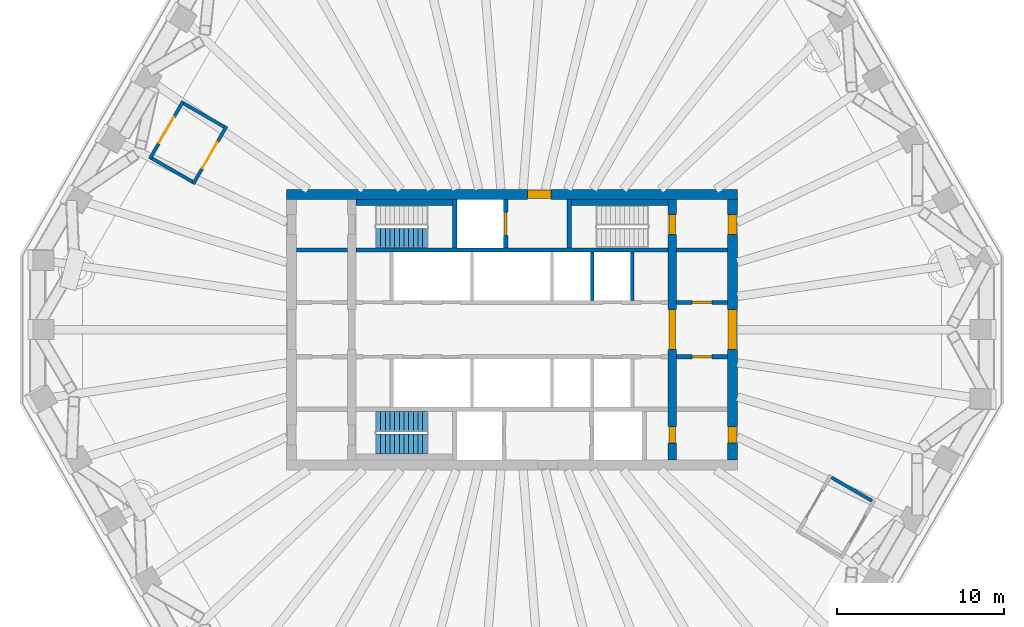
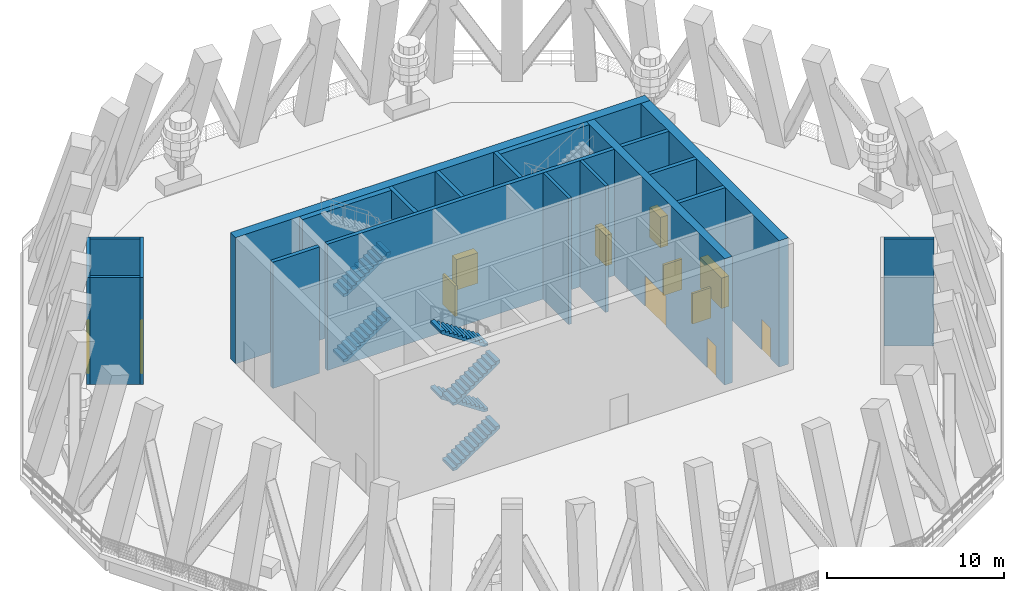
# One storey, part 5 of 11: 20 walls, 12 doors, 6 stair flights, 12 openings, 2 elements without a shape of their own.
"""IFC4 building model written with IfcOpenShell, lengths in metres."""

from ifc_helpers import new_model, si_unit, direction, frame, frame_2d, origin, place, context, subcontext, project, spatial, polyline, rectangle, outline, extrude, material, layer, layer_set, type_object, element, fill, aggregate, save


model = new_model("IFC4")

# Units and contexts
model_context = context("Model", 3, precision=1e-05, world=origin(), true_north=direction((0.0, 1.0)))
body_context = subcontext(model_context, "Body", "Model", "MODEL_VIEW")
ifc_project = project(units=[si_unit("LENGTHUNIT", "METRE"), si_unit("AREAUNIT", "SQUARE_METRE"), si_unit("VOLUMEUNIT", "CUBIC_METRE"), si_unit("PLANEANGLEUNIT", "RADIAN"), si_unit("MASSUNIT", "GRAM", prefix="KILO")], contexts=[model_context])

# Site, building, storey
site_placement = place(None, origin())
site = spatial("IfcSite", under=ifc_project, at=site_placement, CompositionType="ELEMENT")
building_placement = place(site_placement, origin())
building = spatial("IfcBuilding", under=site, at=building_placement, Name="Frailejon Research Tower", CompositionType="ELEMENT")
storey_placement = place(building_placement, frame((0.0, 0.0, 202.39990234375)))
storey = spatial("IfcBuildingStorey", under=building, at=storey_placement, Name="L44", CompositionType="ELEMENT", Elevation=202.39990234375)

# Wall, openings, doors
ifc_material_1 = material(Name="Concrete C60/75", Category="concrete")
ifc_layer_1 = layer(ifc_material_1, 0.5)
ifc_layer_set_1 = layer_set([ifc_layer_1], Name="Core shear wall 500 C60/75")
wall_type_1 = type_object("IfcWallType", Name="Core shear wall 500 C60/75", PredefinedType="SHEAR", material=ifc_layer_set_1)
wall_1_placement = place(storey_placement, frame((9.60009765625, -7.800048828125, 0.0), z_axis=(0.0, 0.0, 1.0), x_axis=(0.0, 1.0, 0.0)))
wall_1 = element("IfcWall", 1, at=wall_1_placement, inside=storey, type_object=wall_type_1, Name="Core shear wall", PredefinedType="SHEAR", context=body_context, shape_type="SweptSolid", body=[
    extrude(rectangle(XDim=15.60009765625, YDim=0.5, at=frame_2d((7.800048828125, 0.0))), origin(), (0.0, 0.0, 1.0), 8.7001953125),
])
opening_1_placement = place(wall_1_placement, frame((6.60009765625, 0.0, 0.0)))
opening_1 = element("IfcOpeningElement", 2, at=opening_1_placement, cuts=wall_1, Name="Opening D2", PredefinedType="OPENING", context=body_context, shape_type="SweptSolid", body=[
    extrude(rectangle(XDim=2.39990234375, YDim=2.10009765625, at=frame_2d((1.199951171875, 1.050048828125))), frame((0.0, 0.260009765625, 0.0), z_axis=(0.0, -1.0, 0.0), x_axis=(1.0, 0.0, 0.0)), (0.0, 0.0, 1.0), 0.52001953125),
])
opening_2_placement = place(wall_1_placement, frame((13.5, 0.0, 0.0)))
opening_2 = element("IfcOpeningElement", 3, at=opening_2_placement, cuts=wall_1, Name="Opening D1", PredefinedType="OPENING", context=body_context, shape_type="SweptSolid", body=[
    extrude(rectangle(XDim=1.199951171875, YDim=2.10009765625, at=frame_2d((0.60009765625, 1.050048828125))), frame((0.0, 0.260009765625, 0.0), z_axis=(0.0, -1.0, 0.0), x_axis=(1.0, 0.0, 0.0)), (0.0, 0.0, 1.0), 0.52001953125),
])
opening_3_placement = place(wall_1_placement, frame((1.0, 0.0, 0.0)))
opening_3 = element("IfcOpeningElement", 4, at=opening_3_placement, cuts=wall_1, Name="Opening D4", PredefinedType="OPENING", context=body_context, shape_type="SweptSolid", body=[
    extrude(rectangle(XDim=1.0, YDim=2.10009765625, at=frame_2d((0.5, 1.050048828125))), frame((0.0, 0.260009765625, 0.0), z_axis=(0.0, -1.0, 0.0), x_axis=(1.0, 0.0, 0.0)), (0.0, 0.0, 1.0), 0.52001953125),
])
ifc_material_2 = material(Name="Steel", Category="steel")
door_type_1 = type_object("IfcDoorType", Name="Lobby double door", OperationType="DOUBLE_DOOR_SINGLE_SWING", PredefinedType="DOOR", material=ifc_material_2)
door_1_placement = place(opening_1_placement, origin())
door_1 = element("IfcDoor", 5, at=door_1_placement, inside=storey, type_object=door_type_1, Name="Lobby door", OperationType="DOUBLE_DOOR_SINGLE_SWING", OverallHeight=2.10009765625, OverallWidth=2.39990234375, PredefinedType="DOOR", context=body_context, shape_type="SweptSolid", body=[
    extrude(rectangle(XDim=2.39990234375, YDim=2.10009765625, at=frame_2d((1.199951171875, 1.050048828125))), frame((0.0, 0.199951171875, 0.0), z_axis=(0.0, -1.0, 0.0), x_axis=(1.0, 0.0, 0.0)), (0.0, 0.0, 1.0), 0.39990234375),
])
fill(opening_1, door_1)
ifc_material_3 = material(Name="Steel", Category="steel")
door_type_2 = type_object("IfcDoorType", Name="Service door", OperationType="SINGLE_SWING_LEFT", PredefinedType="DOOR", material=ifc_material_3)
door_2_placement = place(opening_3_placement, origin())
door_2 = element("IfcDoor", 6, at=door_2_placement, inside=storey, type_object=door_type_2, Name="Riser door", OperationType="SINGLE_SWING_RIGHT", OverallHeight=2.10009765625, OverallWidth=1.0, PredefinedType="DOOR", context=body_context, shape_type="SweptSolid", body=[
    extrude(rectangle(XDim=1.0, YDim=2.10009765625, at=frame_2d((0.5, 1.050048828125))), frame((0.0, 0.199951171875, 0.0), z_axis=(0.0, -1.0, 0.0), x_axis=(1.0, 0.0, 0.0)), (0.0, 0.0, 1.0), 0.39990234375),
])
fill(opening_3, door_2)
ifc_material_4 = material(Name="Steel", Category="steel")
door_type_3 = type_object("IfcDoorType", Name="Stair door", OperationType="SINGLE_SWING_LEFT", PredefinedType="DOOR", material=ifc_material_4)
door_3_placement = place(opening_2_placement, origin())
door_3 = element("IfcDoor", 7, at=door_3_placement, inside=storey, type_object=door_type_3, Name="Stair door ST3", OperationType="SINGLE_SWING_RIGHT", OverallHeight=2.10009765625, OverallWidth=1.199951171875, PredefinedType="DOOR", context=body_context, shape_type="SweptSolid", body=[
    extrude(rectangle(XDim=1.199951171875, YDim=2.10009765625, at=frame_2d((0.60009765625, 1.050048828125))), frame((0.0, 0.199951171875, 0.0), z_axis=(0.0, -1.0, 0.0), x_axis=(1.0, 0.0, 0.0)), (0.0, 0.0, 1.0), 0.39990234375),
])
fill(opening_2, door_3)

# Wall, opening, door
ifc_material_5 = material(Name="Concrete C60/75", Category="concrete")
ifc_layer_2 = layer(ifc_material_5, 0.60009765625)
ifc_layer_set_2 = layer_set([ifc_layer_2], Name="Core shear wall 600 C60/75")
wall_type_2 = type_object("IfcWallType", Name="Core shear wall 600 C60/75", PredefinedType="SHEAR", material=ifc_layer_set_2)
wall_2_placement = place(storey_placement, frame((-13.5, 8.10009765625, 0.0), z_axis=(0.0, 0.0, 1.0), x_axis=(1.0, 0.0, 0.0)))
wall_2 = element("IfcWall", 8, at=wall_2_placement, inside=storey, type_object=wall_type_2, Name="Core shear wall", PredefinedType="SHEAR", context=body_context, shape_type="SweptSolid", body=[
    extrude(rectangle(XDim=27.0, YDim=0.60009765625, at=frame_2d((13.5, 0.0))), origin(), (0.0, 0.0, 1.0), 8.7001953125),
])
opening_4_placement = place(wall_2_placement, frame((14.425048828125, 0.0, 0.0)))
opening_4 = element("IfcOpeningElement", 9, at=opening_4_placement, cuts=wall_2, Name="Opening D9", PredefinedType="OPENING", context=body_context, shape_type="SweptSolid", body=[
    extrude(rectangle(XDim=1.39990234375, YDim=2.10009765625, at=frame_2d((0.699951171875, 1.050048828125))), frame((0.0, 0.31005859375, 0.0), z_axis=(0.0, -1.0, 0.0), x_axis=(1.0, 0.0, 0.0)), (0.0, 0.0, 1.0), 0.6201171875),
])
ifc_material_6 = material(Name="Steel", Category="steel")
door_type_4 = type_object("IfcDoorType", Name="Goods lobby door", OperationType="DOUBLE_DOOR_SINGLE_SWING", PredefinedType="DOOR", material=ifc_material_6)
door_4_placement = place(opening_4_placement, origin())
door_4 = element("IfcDoor", 10, at=door_4_placement, inside=storey, type_object=door_type_4, Name="Goods lobby door", OperationType="DOUBLE_DOOR_SINGLE_SWING", OverallHeight=2.10009765625, OverallWidth=1.39990234375, PredefinedType="DOOR", context=body_context, shape_type="SweptSolid", body=[
    extrude(rectangle(XDim=1.39990234375, YDim=2.10009765625, at=frame_2d((0.699951171875, 1.050048828125))), frame((0.0, 0.25, 0.0), z_axis=(0.0, -1.0, 0.0), x_axis=(1.0, 0.0, 0.0)), (0.0, 0.0, 1.0), 0.5),
])
fill(opening_4, door_4)

# Wall, openings, doors
wall_3_placement = place(storey_placement, frame((13.199951171875, -7.800048828125, 0.0), z_axis=(0.0, 0.0, 1.0), x_axis=(0.0, 1.0, 0.0)))
wall_3 = element("IfcWall", 11, at=wall_3_placement, inside=storey, type_object=wall_type_2, Name="Core shear wall", PredefinedType="SHEAR", context=body_context, shape_type="SweptSolid", body=[
    extrude(rectangle(XDim=15.60009765625, YDim=0.60009765625, at=frame_2d((7.800048828125, 0.0))), origin(), (0.0, 0.0, 1.0), 8.7001953125),
])
opening_5_placement = place(wall_3_placement, frame((6.60009765625, 0.0, 0.0)))
opening_5 = element("IfcOpeningElement", 12, at=opening_5_placement, cuts=wall_3, Name="Opening D2", PredefinedType="OPENING", context=body_context, shape_type="SweptSolid", body=[
    extrude(rectangle(XDim=2.39990234375, YDim=2.10009765625, at=frame_2d((1.199951171875, 1.050048828125))), frame((0.0, 0.31005859375, 0.0), z_axis=(0.0, -1.0, 0.0), x_axis=(1.0, 0.0, 0.0)), (0.0, 0.0, 1.0), 0.6201171875),
])
opening_6_placement = place(wall_3_placement, frame((13.5, 0.0, 0.0)))
opening_6 = element("IfcOpeningElement", 13, at=opening_6_placement, cuts=wall_3, Name="Opening D7", PredefinedType="OPENING", context=body_context, shape_type="SweptSolid", body=[
    extrude(rectangle(XDim=1.199951171875, YDim=2.10009765625, at=frame_2d((0.60009765625, 1.050048828125))), frame((0.0, 0.31005859375, 0.0), z_axis=(0.0, -1.0, 0.0), x_axis=(1.0, 0.0, 0.0)), (0.0, 0.0, 1.0), 0.6201171875),
])
opening_7_placement = place(wall_3_placement, frame((1.0, 0.0, 0.0)))
opening_7 = element("IfcOpeningElement", 14, at=opening_7_placement, cuts=wall_3, Name="Opening D4", PredefinedType="OPENING", context=body_context, shape_type="SweptSolid", body=[
    extrude(rectangle(XDim=1.0, YDim=2.10009765625, at=frame_2d((0.5, 1.050048828125))), frame((0.0, 0.31005859375, 0.0), z_axis=(0.0, -1.0, 0.0), x_axis=(1.0, 0.0, 0.0)), (0.0, 0.0, 1.0), 0.6201171875),
])
door_5_placement = place(opening_5_placement, origin())
door_5 = element("IfcDoor", 15, at=door_5_placement, inside=storey, type_object=door_type_1, Name="Lobby door", OperationType="DOUBLE_DOOR_SINGLE_SWING", OverallHeight=2.10009765625, OverallWidth=2.39990234375, PredefinedType="DOOR", context=body_context, shape_type="SweptSolid", body=[
    extrude(rectangle(XDim=2.39990234375, YDim=2.10009765625, at=frame_2d((1.199951171875, 1.050048828125))), frame((0.0, 0.25, 0.0), z_axis=(0.0, -1.0, 0.0), x_axis=(1.0, 0.0, 0.0)), (0.0, 0.0, 1.0), 0.5),
])
fill(opening_5, door_5)
door_6_placement = place(opening_7_placement, origin())
door_6 = element("IfcDoor", 16, at=door_6_placement, inside=storey, type_object=door_type_2, Name="Store door", OperationType="SINGLE_SWING_LEFT", OverallHeight=2.10009765625, OverallWidth=1.0, PredefinedType="DOOR", context=body_context, shape_type="SweptSolid", body=[
    extrude(rectangle(XDim=1.0, YDim=2.10009765625, at=frame_2d((0.5, 1.050048828125))), frame((0.0, 0.25, 0.0), z_axis=(0.0, -1.0, 0.0), x_axis=(1.0, 0.0, 0.0)), (0.0, 0.0, 1.0), 0.5),
])
fill(opening_7, door_6)
ifc_material_7 = material(Name="Steel", Category="steel")
door_type_5 = type_object("IfcDoorType", Name="Stair exit door", OperationType="SINGLE_SWING_LEFT", PredefinedType="DOOR", material=ifc_material_7)
door_7_placement = place(opening_6_placement, origin())
door_7 = element("IfcDoor", 17, at=door_7_placement, inside=storey, type_object=door_type_5, Name="Stair exit door ST3", OperationType="SINGLE_SWING_LEFT", OverallHeight=2.10009765625, OverallWidth=1.199951171875, PredefinedType="DOOR", context=body_context, shape_type="SweptSolid", body=[
    extrude(rectangle(XDim=1.199951171875, YDim=2.10009765625, at=frame_2d((0.60009765625, 1.050048828125))), frame((0.0, 0.25, 0.0), z_axis=(0.0, -1.0, 0.0), x_axis=(1.0, 0.0, 0.0)), (0.0, 0.0, 1.0), 0.5),
])
fill(opening_6, door_7)

# Walls
ifc_material_8 = material(Name="Concrete C60/75", Category="concrete")
ifc_layer_3 = layer(ifc_material_8, 0.199951171875)
ifc_layer_set_3 = layer_set([ifc_layer_3], Name="Shaft wall 200 C60/75")
wall_type_3 = type_object("IfcWallType", Name="Shaft wall 200 C60/75", PredefinedType="SOLIDWALL", material=ifc_layer_set_3)
for number, where, z_axis, x_axis, name in (
    (18, (4.800048828125, 1.75, 0.0), (0.0, 0.0, 1.0), (0.0, 1.0, 0.0), "Shaft wall"),
    (19, (7.199951171875, 1.75, 0.0), (0.0, 0.0, 1.0), (0.0, 1.0, 0.0), "Shaft wall"),
):
    element("IfcWall", number, at=place(storey_placement, frame(where, z_axis=z_axis, x_axis=x_axis)), inside=storey, type_object=wall_type_3, Name=name, PredefinedType="SOLIDWALL", context=body_context, shape_type="SweptSolid", body=[
        extrude(rectangle(XDim=2.89990234375, YDim=0.199951171875, at=frame_2d((1.449951171875, 0.0))), origin(), (0.0, 0.0, 1.0), 8.7001953125),
    ])

# Wall, opening, door
ifc_material_9 = material(Name="Concrete C60/75", Category="concrete")
ifc_layer_4 = layer(ifc_material_9, 0.25)
ifc_layer_set_4 = layer_set([ifc_layer_4], Name="Shaft wall 250 C60/75")
wall_type_4 = type_object("IfcWallType", Name="Shaft wall 250 C60/75", PredefinedType="SOLIDWALL", material=ifc_layer_set_4)
wall_4_placement = place(storey_placement, frame((9.85009765625, 1.625, 0.0), z_axis=(0.0, 0.0, 1.0), x_axis=(1.0, 0.0, 0.0)))
wall_4 = element("IfcWall", 20, at=wall_4_placement, inside=storey, type_object=wall_type_4, Name="Shaft wall", PredefinedType="SOLIDWALL", context=body_context, shape_type="SweptSolid", body=[
    extrude(rectangle(XDim=3.0498046875, YDim=0.25, at=frame_2d((1.52490234375, 0.0))), origin(), (0.0, 0.0, 1.0), 8.7001953125),
])
opening_8_placement = place(wall_4_placement, frame((0.925048828125, 0.0, 0.0)))
opening_8 = element("IfcOpeningElement", 21, at=opening_8_placement, cuts=wall_4, Name="Opening D6", PredefinedType="OPENING", context=body_context, shape_type="SweptSolid", body=[
    extrude(rectangle(XDim=1.199951171875, YDim=2.10009765625, at=frame_2d((0.60009765625, 1.050048828125))), frame((0.0, 0.135009765625, 0.0), z_axis=(0.0, -1.0, 0.0), x_axis=(1.0, 0.0, 0.0)), (0.0, 0.0, 1.0), 0.27001953125),
])
ifc_material_10 = material(Name="Steel", Category="steel")
door_type_6 = type_object("IfcDoorType", Name="Plant door", OperationType="SINGLE_SWING_LEFT", PredefinedType="DOOR", material=ifc_material_10)
door_8_placement = place(opening_8_placement, origin())
door_8 = element("IfcDoor", 22, at=door_8_placement, inside=storey, type_object=door_type_6, Name="Room door", OperationType="SINGLE_SWING_LEFT", OverallHeight=2.10009765625, OverallWidth=1.199951171875, PredefinedType="DOOR", context=body_context, shape_type="SweptSolid", body=[
    extrude(rectangle(XDim=1.199951171875, YDim=2.10009765625, at=frame_2d((0.60009765625, 1.050048828125))), frame((0.0, 0.074951171875, 0.0), z_axis=(0.0, -1.0, 0.0), x_axis=(1.0, 0.0, 0.0)), (0.0, 0.0, 1.0), 0.14990234375),
])
fill(opening_8, door_8)

# Walls
wall_5_placement = place(storey_placement, frame((-12.89990234375, 4.77490234375, 0.0), z_axis=(0.0, 0.0, 1.0), x_axis=(1.0, 0.0, 0.0)))
element("IfcWall", 23, at=wall_5_placement, inside=storey, type_object=wall_type_4, Name="Shaft wall", PredefinedType="SOLIDWALL", context=body_context, shape_type="SweptSolid", body=[
    extrude(rectangle(XDim=3.0498046875, YDim=0.25, at=frame_2d((1.52490234375, 0.0))), origin(), (0.0, 0.0, 1.0), 8.7001953125),
])
wall_6_placement = place(storey_placement, frame((-9.35009765625, 4.77490234375, 0.0), z_axis=(0.0, 0.0, 1.0), x_axis=(1.0, 0.0, 0.0)))
element("IfcWall", 24, at=wall_6_placement, inside=storey, type_object=wall_type_4, Name="Shaft wall", PredefinedType="SOLIDWALL", context=body_context, shape_type="SweptSolid", body=[
    extrude(rectangle(XDim=18.7001953125, YDim=0.25, at=frame_2d((9.35009765625, 0.0))), origin(), (0.0, 0.0, 1.0), 8.7001953125),
])
wall_7_placement = place(storey_placement, frame((9.85009765625, 4.77490234375, 0.0), z_axis=(0.0, 0.0, 1.0), x_axis=(1.0, 0.0, 0.0)))
element("IfcWall", 25, at=wall_7_placement, inside=storey, type_object=wall_type_4, Name="Shaft wall", PredefinedType="SOLIDWALL", context=body_context, shape_type="SweptSolid", body=[
    extrude(rectangle(XDim=3.0498046875, YDim=0.25, at=frame_2d((1.52490234375, 0.0))), origin(), (0.0, 0.0, 1.0), 8.7001953125),
])

# Wall, opening, door
wall_8_placement = place(storey_placement, frame((9.85009765625, -1.625, 0.0), z_axis=(0.0, 0.0, 1.0), x_axis=(1.0, 0.0, 0.0)))
wall_8 = element("IfcWall", 26, at=wall_8_placement, inside=storey, type_object=wall_type_4, Name="Shaft wall", PredefinedType="SOLIDWALL", context=body_context, shape_type="SweptSolid", body=[
    extrude(rectangle(XDim=3.0498046875, YDim=0.25, at=frame_2d((1.52490234375, 0.0))), origin(), (0.0, 0.0, 1.0), 8.7001953125),
])
opening_9_placement = place(wall_8_placement, frame((0.925048828125, 0.0, 0.0)))
opening_9 = element("IfcOpeningElement", 27, at=opening_9_placement, cuts=wall_8, Name="Opening D6", PredefinedType="OPENING", context=body_context, shape_type="SweptSolid", body=[
    extrude(rectangle(XDim=1.199951171875, YDim=2.10009765625, at=frame_2d((0.60009765625, 1.050048828125))), frame((0.0, 0.135009765625, 0.0), z_axis=(0.0, -1.0, 0.0), x_axis=(1.0, 0.0, 0.0)), (0.0, 0.0, 1.0), 0.27001953125),
])
door_9_placement = place(opening_9_placement, origin())
door_9 = element("IfcDoor", 28, at=door_9_placement, inside=storey, type_object=door_type_6, Name="Room door", OperationType="SINGLE_SWING_LEFT", OverallHeight=2.10009765625, OverallWidth=1.199951171875, PredefinedType="DOOR", context=body_context, shape_type="SweptSolid", body=[
    extrude(rectangle(XDim=1.199951171875, YDim=2.10009765625, at=frame_2d((0.60009765625, 1.050048828125))), frame((0.0, 0.074951171875, 0.0), z_axis=(0.0, -1.0, 0.0), x_axis=(1.0, 0.0, 0.0)), (0.0, 0.0, 1.0), 0.14990234375),
])
fill(opening_9, door_9)

# Wall
wall_9_placement = place(storey_placement, frame((-3.425048828125, 4.89990234375, 0.0), z_axis=(0.0, 0.0, 1.0), x_axis=(0.0, 1.0, 0.0)))
element("IfcWall", 29, at=wall_9_placement, inside=storey, type_object=wall_type_4, Name="Shaft wall", PredefinedType="SOLIDWALL", context=body_context, shape_type="SweptSolid", body=[
    extrude(rectangle(XDim=2.900146484375, YDim=0.25, at=frame_2d((1.4501953125, 0.0))), origin(), (0.0, 0.0, 1.0), 8.7001953125),
])

# Wall, opening, door
wall_10_placement = place(storey_placement, frame((-0.375, 4.89990234375, 0.0), z_axis=(0.0, 0.0, 1.0), x_axis=(0.0, 1.0, 0.0)))
wall_10 = element("IfcWall", 30, at=wall_10_placement, inside=storey, type_object=wall_type_4, Name="Shaft wall", PredefinedType="SOLIDWALL", context=body_context, shape_type="SweptSolid", body=[
    extrude(rectangle(XDim=2.900146484375, YDim=0.25, at=frame_2d((1.4501953125, 0.0))), origin(), (0.0, 0.0, 1.0), 8.7001953125),
])
opening_10_placement = place(wall_10_placement, frame((0.75, 0.0, 0.0)))
opening_10 = element("IfcOpeningElement", 31, at=opening_10_placement, cuts=wall_10, Name="Opening LD2", PredefinedType="OPENING", context=body_context, shape_type="SweptSolid", body=[
    extrude(rectangle(XDim=1.39990234375, YDim=2.10009765625, at=frame_2d((0.699951171875, 1.050048828125))), frame((0.0, 0.135009765625, 0.0), z_axis=(0.0, -1.0, 0.0), x_axis=(1.0, 0.0, 0.0)), (0.0, 0.0, 1.0), 0.27001953125),
])
ifc_material_11 = material(Name="Stainless steel", Category="steel")
door_type_7 = type_object("IfcDoorType", Name="Goods landing door", OperationType="DOUBLE_DOOR_SLIDING", PredefinedType="DOOR", material=ifc_material_11)
door_10_placement = place(opening_10_placement, origin())
door_10 = element("IfcDoor", 32, at=door_10_placement, inside=storey, type_object=door_type_7, Name="Lift landing door", OperationType="DOUBLE_DOOR_SLIDING", OverallHeight=2.10009765625, OverallWidth=1.39990234375, PredefinedType="DOOR", context=body_context, shape_type="SweptSolid", body=[
    extrude(rectangle(XDim=1.39990234375, YDim=2.10009765625, at=frame_2d((0.699951171875, 1.050048828125))), frame((0.0, 0.074951171875, 0.0), z_axis=(0.0, -1.0, 0.0), x_axis=(1.0, 0.0, 0.0)), (0.0, 0.0, 1.0), 0.14990234375),
])
fill(opening_10, door_10)

# Walls
wall_11_placement = place(storey_placement, frame((3.425048828125, 4.89990234375, 0.0), z_axis=(0.0, 0.0, 1.0), x_axis=(0.0, 1.0, 0.0)))
element("IfcWall", 33, at=wall_11_placement, inside=storey, type_object=wall_type_4, Name="Shaft wall", PredefinedType="SOLIDWALL", context=body_context, shape_type="SweptSolid", body=[
    extrude(rectangle(XDim=2.900146484375, YDim=0.25, at=frame_2d((1.4501953125, 0.0))), origin(), (0.0, 0.0, 1.0), 8.7001953125),
])
ifc_material_12 = material(Name="Concrete C60/75", Category="concrete")
ifc_layer_5 = layer(ifc_material_12, 0.35009765625)
ifc_layer_set_5 = layer_set([ifc_layer_5], Name="Shaft wall 350 C60/75")
wall_type_5 = type_object("IfcWallType", Name="Shaft wall 350 C60/75", PredefinedType="SOLIDWALL", material=ifc_layer_set_5)
for number, where, z_axis, x_axis, name in (
    (34, (-9.35009765625, 7.625, 0.0), (0.0, 0.0, 1.0), (1.0, 0.0, 0.0), "Shaft wall"),
    (35, (3.550048828125, 7.625, 0.0), (0.0, 0.0, 1.0), (1.0, 0.0, 0.0), "Shaft wall"),
):
    element("IfcWall", number, at=place(storey_placement, frame(where, z_axis=z_axis, x_axis=x_axis)), inside=storey, type_object=wall_type_5, Name=name, PredefinedType="SOLIDWALL", context=body_context, shape_type="SweptSolid", body=[
        extrude(rectangle(XDim=5.800048828125, YDim=0.35009765625, at=frame_2d((2.89990234375, 0.0))), origin(), (0.0, 0.0, 1.0), 8.7001953125),
    ])

# Wall, opening, door
ifc_material_13 = material(Name="Concrete C40/50 precast window wall panel", Category="concrete")
ifc_layer_6 = layer(ifc_material_13, 0.199951171875)
ifc_layer_set_6 = layer_set([ifc_layer_6], Name="Window wall 200")
wall_type_6 = type_object("IfcWallType", Name="Window wall 200", PredefinedType="SOLIDWALL", material=ifc_layer_set_6)
wall_12_placement = place(storey_placement, frame((-19.697998046875, 13.68212890625, 0.0), z_axis=(0.0, 0.0, 1.0), x_axis=(-0.49999894854, -0.866026010844, 0.0)))
wall_12 = element("IfcWall", 36, at=wall_12_placement, inside=storey, type_object=wall_type_6, Name="Terrace lobby wall L44", PredefinedType="SOLIDWALL", context=body_context, shape_type="SweptSolid", body=[
    extrude(rectangle(XDim=4.0, YDim=0.199951171875, at=frame_2d((2.0, 0.0))), origin(), (0.0, 0.0, 1.0), 7.35009765625),
])
opening_11_placement = place(wall_12_placement, frame((1.10009765625, 0.0, 0.0)))
opening_11 = element("IfcOpeningElement", 37, at=opening_11_placement, cuts=wall_12, Name="Opening WT44-1", PredefinedType="OPENING", context=body_context, shape_type="SweptSolid", body=[
    extrude(rectangle(XDim=1.800048828125, YDim=2.39990234375, at=frame_2d((0.89990234375, 1.199951171875))), frame((0.0, 0.10986328125, 0.0), z_axis=(0.0, -1.0, 0.0), x_axis=(1.0, 0.0, 0.0)), (0.0, 0.0, 1.0), 0.219970703125),
])
ifc_material_14 = material(Name="Aluminium framed glazed door leaf", Category="aluminium")
door_type_8 = type_object("IfcDoorType", Name="Terrace door 1800x2400", OperationType="DOUBLE_DOOR_SINGLE_SWING", PredefinedType="DOOR", material=ifc_material_14)
door_11_placement = place(opening_11_placement, origin())
door_11 = element("IfcDoor", 38, at=door_11_placement, inside=storey, type_object=door_type_8, Name="Door WT44-1", OperationType="DOUBLE_DOOR_SINGLE_SWING", OverallHeight=2.39990234375, OverallWidth=1.800048828125, PredefinedType="DOOR", context=body_context, shape_type="SweptSolid", body=[
    extrude(rectangle(XDim=1.800048828125, YDim=2.39990234375, at=frame_2d((0.89990234375, 1.199951171875))), frame((0.0, 0.02490234375, 0.0), z_axis=(0.0, -1.0, 0.0), x_axis=(1.0, 0.0, 0.0)), (0.0, 0.0, 1.0), 0.050048828125),
])
fill(opening_11, door_11)

# Walls
wall_13_placement = place(storey_placement, frame((-19.661376953125, 13.54541015625, 0.0), z_axis=(0.0, 0.0, 1.0), x_axis=(0.866034573852, -0.49998411664, 0.0)))
element("IfcWall", 39, at=wall_13_placement, inside=storey, type_object=wall_type_6, Name="Terrace lobby wall L44", PredefinedType="SOLIDWALL", context=body_context, shape_type="SweptSolid", body=[
    extrude(rectangle(XDim=2.7998046875, YDim=0.199951171875, at=frame_2d((1.39990234375, 0.0))), origin(), (0.0, 0.0, 1.0), 7.35009765625),
])
wall_14_placement = place(storey_placement, frame((-21.561279296875, 10.254638671875, 0.0), z_axis=(0.0, 0.0, 1.0), x_axis=(0.865996816683, -0.500049511043, 0.0)))
element("IfcWall", 40, at=wall_14_placement, inside=storey, type_object=wall_type_6, Name="Terrace lobby wall L44", PredefinedType="SOLIDWALL", context=body_context, shape_type="SweptSolid", body=[
    extrude(rectangle(XDim=2.800048828125, YDim=0.199951171875, at=frame_2d((1.39990234375, 0.0))), origin(), (0.0, 0.0, 1.0), 7.35009765625),
])

# Wall, opening, door
wall_15_placement = place(storey_placement, frame((-17.099853515625, 12.18212890625, 0.0), z_axis=(0.0, 0.0, 1.0), x_axis=(-0.49999894854, -0.866026010844, 0.0)))
wall_15 = element("IfcWall", 41, at=wall_15_placement, inside=storey, type_object=wall_type_6, Name="Terrace lobby wall L44", PredefinedType="SOLIDWALL", context=body_context, shape_type="SweptSolid", body=[
    extrude(rectangle(XDim=4.0, YDim=0.199951171875, at=frame_2d((2.0, 0.0))), origin(), (0.0, 0.0, 1.0), 7.35009765625),
])
opening_12_placement = place(wall_15_placement, frame((1.10009765625, 0.0, 0.0)))
opening_12 = element("IfcOpeningElement", 42, at=opening_12_placement, cuts=wall_15, Name="Opening WT44-1A", PredefinedType="OPENING", context=body_context, shape_type="SweptSolid", body=[
    extrude(rectangle(XDim=1.800048828125, YDim=2.39990234375, at=frame_2d((0.89990234375, 1.199951171875))), frame((0.0, 0.10986328125, 0.0), z_axis=(0.0, -1.0, 0.0), x_axis=(1.0, 0.0, 0.0)), (0.0, 0.0, 1.0), 0.219970703125),
])
door_12_placement = place(opening_12_placement, origin())
door_12 = element("IfcDoor", 43, at=door_12_placement, inside=storey, type_object=door_type_8, Name="Door WT44-1A", OperationType="DOUBLE_DOOR_SINGLE_SWING", OverallHeight=2.39990234375, OverallWidth=1.800048828125, PredefinedType="DOOR", context=body_context, shape_type="SweptSolid", body=[
    extrude(rectangle(XDim=1.800048828125, YDim=2.39990234375, at=frame_2d((0.89990234375, 1.199951171875))), frame((0.0, 0.02490234375, 0.0), z_axis=(0.0, -1.0, 0.0), x_axis=(1.0, 0.0, 0.0)), (0.0, 0.0, 1.0), 0.050048828125),
])
fill(opening_12, door_12)

# Wall
wall_16_placement = place(storey_placement, frame((21.561279296875, -10.254638671875, 0.0), z_axis=(0.0, 0.0, 1.0), x_axis=(-0.865996816683, 0.500049511043, 0.0)))
element("IfcWall", 44, at=wall_16_placement, inside=storey, type_object=wall_type_6, Name="Terrace lobby wall L44", PredefinedType="SOLIDWALL", context=body_context, shape_type="SweptSolid", body=[
    extrude(rectangle(XDim=2.800048828125, YDim=0.199951171875, at=frame_2d((1.39990234375, 0.0))), origin(), (0.0, 0.0, 1.0), 7.35009765625),
])

# Stair, stair flights
ifc_material_15 = material(Name="Concrete C50/60", Category="concrete")
stair_type = type_object("IfcStairType", Name="Exit stair 48 risers", PredefinedType="HALF_TURN_STAIR", material=ifc_material_15)
stair_1_placement = place(storey_placement, origin())
stair_1 = element("IfcStair", 45, at=stair_1_placement, inside=storey, type_object=stair_type, Name="L44 Exit stair ST1", PredefinedType="HALF_TURN_STAIR")
ifc_material_16 = material(Name="Concrete C50/60", Category="concrete")
ifc_layer_7 = layer(ifc_material_16, 0.14990234375)
ifc_layer_set_7 = layer_set([ifc_layer_7], Name="Stair flight 12 risers")
stair_flight_type = type_object("IfcStairFlightType", Name="Stair flight 12 risers", PredefinedType="STRAIGHT", material=ifc_layer_set_7)
stair_flight_1_placement = place(storey_placement, frame((-8.14990234375, 5.5, 0.0), z_axis=(0.0, 0.0, 1.0), x_axis=(1.0, 0.0, 0.0)))
stair_flight_1 = element("IfcStairFlight", 46, at=stair_flight_1_placement, type_object=stair_flight_type, Name="ST1 flight 1", NumberOfRisers=12, NumberOfTreads=11, PredefinedType="STRAIGHT", RiserHeight=0.1875, TreadLength=0.28, context=body_context, shape_type="SweptSolid", body=[
    extrude(outline(polyline([(0.0, 0.0), (0.0, 0.1875), (0.280029296875, 0.1875), (0.280029296875, 0.375), (0.56005859375, 0.375), (0.56005859375, 0.5625), (0.840087890625, 0.5625), (0.840087890625, 0.75), (1.1201171875, 0.75), (1.1201171875, 0.9375), (1.39990234375, 0.9375), (1.39990234375, 1.125), (1.679931640625, 1.125), (1.679931640625, 1.3125), (1.9599609375, 1.3125), (1.9599609375, 1.5), (2.239990234375, 1.5), (2.239990234375, 1.6875), (2.52001953125, 1.6875), (2.52001953125, 1.875), (2.800048828125, 1.875), (2.800048828125, 2.0625), (3.080078125, 2.0625), (3.080078125, 2.25), (3.080078125, 1.882080078125), (0.26953125, 0.0), (0.0, 0.0)])), frame((0.0, 0.60009765625, 0.0), z_axis=(0.0, -1.0, 0.0), x_axis=(1.0, 0.0, 0.0)), (0.0, 0.0, 1.0), 1.199951171875),
])
stair_flight_2_placement = place(storey_placement, frame((-8.14990234375, 5.5, 4.5), z_axis=(0.0, 0.0, 1.0), x_axis=(1.0, 0.0, 0.0)))
stair_flight_2 = element("IfcStairFlight", 47, at=stair_flight_2_placement, type_object=stair_flight_type, Name="ST1 flight 3", NumberOfRisers=12, NumberOfTreads=11, PredefinedType="STRAIGHT", RiserHeight=0.1875, TreadLength=0.28, context=body_context, shape_type="SweptSolid", body=[
    extrude(outline(polyline([(0.0, 0.0), (0.0, 0.1875), (0.280029296875, 0.1875), (0.280029296875, 0.375), (0.56005859375, 0.375), (0.56005859375, 0.5625), (0.840087890625, 0.5625), (0.840087890625, 0.75), (1.1201171875, 0.75), (1.1201171875, 0.9375), (1.39990234375, 0.9375), (1.39990234375, 1.125), (1.679931640625, 1.125), (1.679931640625, 1.3125), (1.9599609375, 1.3125), (1.9599609375, 1.5), (2.239990234375, 1.5), (2.239990234375, 1.6875), (2.52001953125, 1.6875), (2.52001953125, 1.875), (2.800048828125, 1.875), (2.800048828125, 2.0625), (3.080078125, 2.0625), (3.080078125, 2.25), (3.080078125, 1.882080078125), (0.26953125, 0.0), (0.0, 0.0)])), frame((0.0, 0.60009765625, 0.0), z_axis=(0.0, -1.0, 0.0), x_axis=(1.0, 0.0, 0.0)), (0.0, 0.0, 1.0), 1.199951171875),
])
aggregate(stair_1, [stair_flight_1, stair_flight_2])

stair_2_placement = place(storey_placement, origin())
stair_2 = element("IfcStair", 48, at=stair_2_placement, inside=storey, type_object=stair_type, Name="L44 Exit stair ST2", PredefinedType="HALF_TURN_STAIR")
stair_flight_3_placement = place(storey_placement, frame((-8.14990234375, -6.85009765625, 0.0), z_axis=(0.0, 0.0, 1.0), x_axis=(1.0, 0.0, 0.0)))
stair_flight_3 = element("IfcStairFlight", 49, at=stair_flight_3_placement, type_object=stair_flight_type, Name="ST2 flight 1", NumberOfRisers=12, NumberOfTreads=11, PredefinedType="STRAIGHT", RiserHeight=0.1875, TreadLength=0.28, context=body_context, shape_type="SweptSolid", body=[
    extrude(outline(polyline([(0.0, 0.0), (0.0, 0.1875), (0.280029296875, 0.1875), (0.280029296875, 0.375), (0.56005859375, 0.375), (0.56005859375, 0.5625), (0.840087890625, 0.5625), (0.840087890625, 0.75), (1.1201171875, 0.75), (1.1201171875, 0.9375), (1.39990234375, 0.9375), (1.39990234375, 1.125), (1.679931640625, 1.125), (1.679931640625, 1.3125), (1.9599609375, 1.3125), (1.9599609375, 1.5), (2.239990234375, 1.5), (2.239990234375, 1.6875), (2.52001953125, 1.6875), (2.52001953125, 1.875), (2.800048828125, 1.875), (2.800048828125, 2.0625), (3.080078125, 2.0625), (3.080078125, 2.25), (3.080078125, 1.882080078125), (0.26953125, 0.0), (0.0, 0.0)])), frame((0.0, 0.60009765625, 0.0), z_axis=(0.0, -1.0, 0.0), x_axis=(1.0, 0.0, 0.0)), (0.0, 0.0, 1.0), 1.199951171875),
])
stair_flight_4_placement = place(storey_placement, frame((-5.070068359375, -5.5, 2.25), z_axis=(0.0, 0.0, 1.0), x_axis=(-1.0, 0.0, 0.0)))
stair_flight_4 = element("IfcStairFlight", 50, at=stair_flight_4_placement, type_object=stair_flight_type, Name="ST2 flight 2", NumberOfRisers=12, NumberOfTreads=11, PredefinedType="STRAIGHT", RiserHeight=0.1875, TreadLength=0.28, context=body_context, shape_type="SweptSolid", body=[
    extrude(outline(polyline([(0.0, 0.0), (0.0, 0.1875), (0.280029296875, 0.1875), (0.280029296875, 0.375), (0.56005859375, 0.375), (0.56005859375, 0.5625), (0.840087890625, 0.5625), (0.840087890625, 0.75), (1.1201171875, 0.75), (1.1201171875, 0.9375), (1.39990234375, 0.9375), (1.39990234375, 1.125), (1.679931640625, 1.125), (1.679931640625, 1.3125), (1.9599609375, 1.3125), (1.9599609375, 1.5), (2.239990234375, 1.5), (2.239990234375, 1.6875), (2.52001953125, 1.6875), (2.52001953125, 1.875), (2.800048828125, 1.875), (2.800048828125, 2.0625), (3.080078125, 2.0625), (3.080078125, 2.25), (3.080078125, 1.882080078125), (0.26953125, 0.0), (0.0, 0.0)])), frame((0.0, 0.60009765625, 0.0), z_axis=(0.0, -1.0, 0.0), x_axis=(1.0, 0.0, 0.0)), (0.0, 0.0, 1.0), 1.199951171875),
])
stair_flight_5_placement = place(storey_placement, frame((-8.14990234375, -6.85009765625, 4.5), z_axis=(0.0, 0.0, 1.0), x_axis=(1.0, 0.0, 0.0)))
stair_flight_5 = element("IfcStairFlight", 51, at=stair_flight_5_placement, type_object=stair_flight_type, Name="ST2 flight 3", NumberOfRisers=12, NumberOfTreads=11, PredefinedType="STRAIGHT", RiserHeight=0.1875, TreadLength=0.28, context=body_context, shape_type="SweptSolid", body=[
    extrude(outline(polyline([(0.0, 0.0), (0.0, 0.1875), (0.280029296875, 0.1875), (0.280029296875, 0.375), (0.56005859375, 0.375), (0.56005859375, 0.5625), (0.840087890625, 0.5625), (0.840087890625, 0.75), (1.1201171875, 0.75), (1.1201171875, 0.9375), (1.39990234375, 0.9375), (1.39990234375, 1.125), (1.679931640625, 1.125), (1.679931640625, 1.3125), (1.9599609375, 1.3125), (1.9599609375, 1.5), (2.239990234375, 1.5), (2.239990234375, 1.6875), (2.52001953125, 1.6875), (2.52001953125, 1.875), (2.800048828125, 1.875), (2.800048828125, 2.0625), (3.080078125, 2.0625), (3.080078125, 2.25), (3.080078125, 1.882080078125), (0.26953125, 0.0), (0.0, 0.0)])), frame((0.0, 0.60009765625, 0.0), z_axis=(0.0, -1.0, 0.0), x_axis=(1.0, 0.0, 0.0)), (0.0, 0.0, 1.0), 1.199951171875),
])
stair_flight_6_placement = place(storey_placement, frame((-5.070068359375, -5.5, 6.75), z_axis=(0.0, 0.0, 1.0), x_axis=(-1.0, 0.0, 0.0)))
stair_flight_6 = element("IfcStairFlight", 52, at=stair_flight_6_placement, type_object=stair_flight_type, Name="ST2 flight 4", NumberOfRisers=12, NumberOfTreads=11, PredefinedType="STRAIGHT", RiserHeight=0.1875, TreadLength=0.28, context=body_context, shape_type="SweptSolid", body=[
    extrude(outline(polyline([(0.0, 0.0), (0.0, 0.1875), (0.280029296875, 0.1875), (0.280029296875, 0.375), (0.56005859375, 0.375), (0.56005859375, 0.5625), (0.840087890625, 0.5625), (0.840087890625, 0.75), (1.1201171875, 0.75), (1.1201171875, 0.9375), (1.39990234375, 0.9375), (1.39990234375, 1.125), (1.679931640625, 1.125), (1.679931640625, 1.3125), (1.9599609375, 1.3125), (1.9599609375, 1.5), (2.239990234375, 1.5), (2.239990234375, 1.6875), (2.52001953125, 1.6875), (2.52001953125, 1.875), (2.800048828125, 1.875), (2.800048828125, 2.0625), (3.080078125, 2.0625), (3.080078125, 2.25), (3.080078125, 1.882080078125), (0.26953125, 0.0), (0.0, 0.0)])), frame((0.0, 0.60009765625, 0.0), z_axis=(0.0, -1.0, 0.0), x_axis=(1.0, 0.0, 0.0)), (0.0, 0.0, 1.0), 1.199951171875),
])
aggregate(stair_2, [stair_flight_3, stair_flight_4, stair_flight_5, stair_flight_6])

save(model, "model.ifc")
